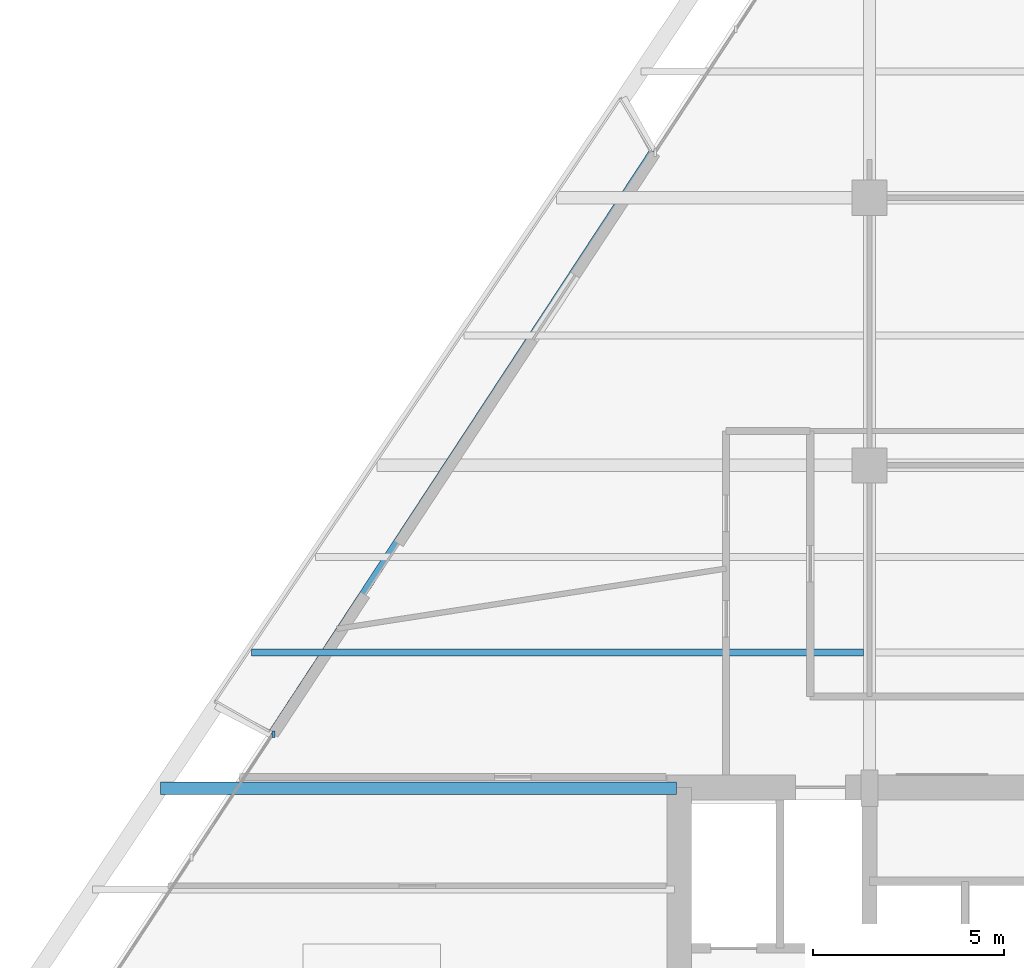
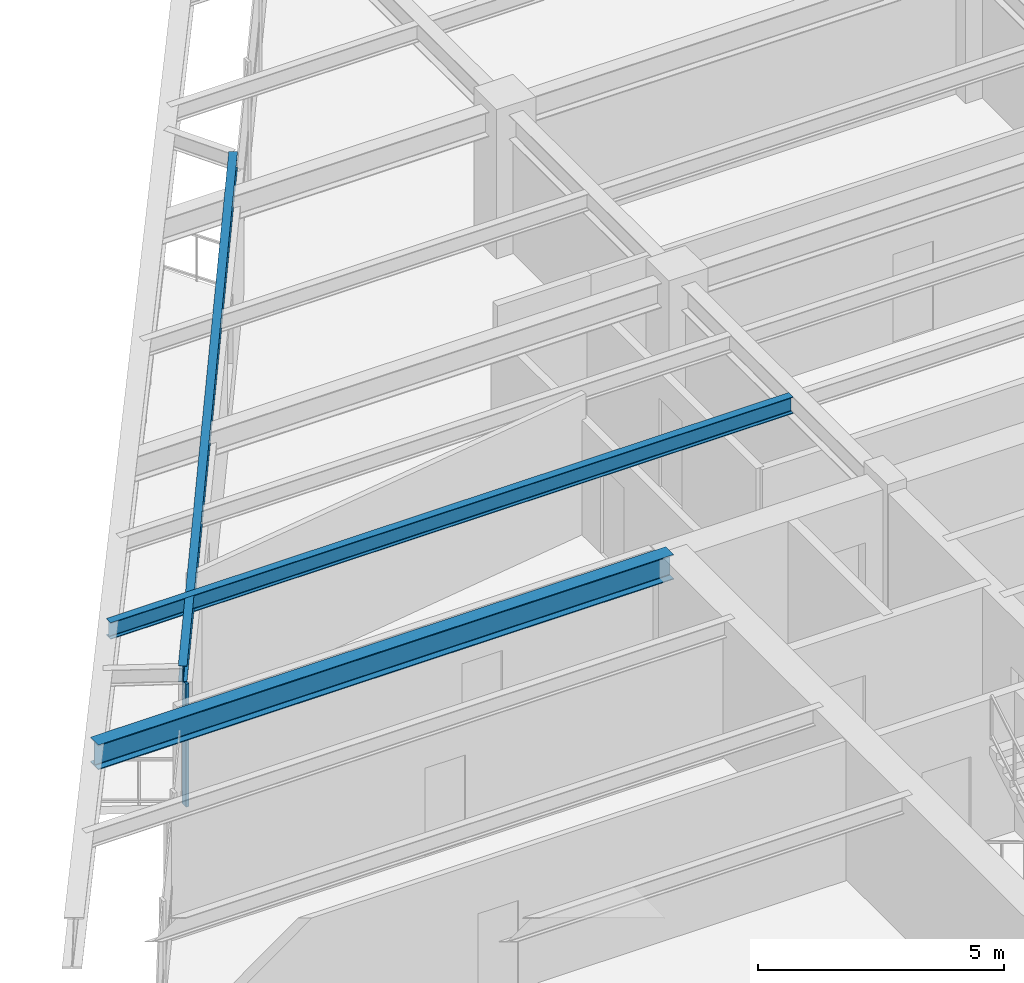
# One storey, part 4 of 14: 3 beams, 1 member, 1 element without a shape of its own.
"""IFC4 building model written with IfcOpenShell, lengths in metres."""

from ifc_helpers import new_model, si_unit, direction, frame, origin, origin_2d, place, context, subcontext, project, spatial, rectangle, i_section, extrude, source, transform, mapped, material, material_profile, profile_set, type_object, element, aggregate, save


model = new_model("IFC4")

# Units and contexts
model_context = context("Model", 3, precision=1e-05, world=origin(), true_north=direction((0.0, 1.0)))
body_context = subcontext(model_context, "Body", "Model", "MODEL_VIEW")
ifc_project = project(units=[si_unit("LENGTHUNIT", "METRE"), si_unit("AREAUNIT", "SQUARE_METRE"), si_unit("VOLUMEUNIT", "CUBIC_METRE"), si_unit("PLANEANGLEUNIT", "RADIAN"), si_unit("MASSUNIT", "GRAM", prefix="KILO")], contexts=[model_context])

# Site, building, storey
site_placement = place(None, origin())
site = spatial("IfcSite", under=ifc_project, at=site_placement, CompositionType="ELEMENT")
building_placement = place(site_placement, origin())
building = spatial("IfcBuilding", under=site, at=building_placement, Name="Varnakhor Terracotta Tower", CompositionType="ELEMENT")
storey_placement = place(building_placement, frame((0.0, 0.0, 129.300048828125)))
storey = spatial("IfcBuildingStorey", under=building, at=storey_placement, Name="L32", CompositionType="ELEMENT", Elevation=129.300048828125)

# Beams
ifc_material_1 = material(Name="Steel S355", Category="steel")
ifc_material_profile_1 = material_profile(ifc_material_1, i_section(OverallWidth=0.179931640625, OverallDepth=0.39990234375, WebThickness=0.008544921875, FlangeThickness=0.013427734375, FilletRadius=0.01806640625, at=origin_2d()), Name="IPE400")
ifc_profile_set_1 = profile_set([ifc_material_profile_1], Name="Steel S355")
beam_type_1 = type_object("IfcBeamType", Name="JST-IPE400", PredefinedType="JOIST", material=ifc_profile_set_1)
shared_shape_1 = source(origin(), body_context, "Body", "SweptSolid", [
    extrude(i_section(OverallWidth=0.179931640625, OverallDepth=0.39990234375, WebThickness=0.008544921875, FlangeThickness=0.013427734375, FilletRadius=0.01806640625, at=origin_2d()), origin(), (0.0, 0.0, 1.0), 18.242919921875),
])
beam_1_placement = place(storey_placement, frame((-11.16357421875, 32.722900390625, 3.27001953125), z_axis=(-0.547958773701, -0.836505339089, 0.0), x_axis=(0.836505339089, -0.547958773701, 0.0)))
element("IfcBeam", 1, at=beam_1_placement, inside=storey, type_object=beam_type_1, Name="L32 Loggia Edge Beam 2", PredefinedType="JOIST", context=body_context, shape_type="MappedRepresentation", body=[
    mapped(shared_shape_1, transform((0.0, 0.0, 0.0), scale=1.0)),
])
ifc_material_profile_2 = material_profile(ifc_material_1, i_section(OverallWidth=0.324951171875, OverallDepth=0.615966796875, WebThickness=0.013916015625, FlangeThickness=0.02197265625, FilletRadius=0.01806640625, at=origin_2d()), Name="W24X117")
ifc_profile_set_2 = profile_set([ifc_material_profile_2], Name="Steel S355")
beam_type_2 = type_object("IfcBeamType", Name="BM-W24X117", PredefinedType="BEAM", material=ifc_profile_set_2)
shared_shape_2 = source(origin(), body_context, "Body", "SweptSolid", [
    extrude(i_section(OverallWidth=0.324951171875, OverallDepth=0.615966796875, WebThickness=0.013916015625, FlangeThickness=0.02197265625, FilletRadius=0.01806640625, at=origin_2d()), origin(), (0.0, 0.0, 1.0), 13.49365234375),
])
beam_2_placement = place(storey_placement, frame((-24.043701171875, 16.050048828125, 3.161865234375), z_axis=(1.0, 0.0, 0.0), x_axis=(0.0, 1.0, 0.0)))
element("IfcBeam", 2, at=beam_2_placement, inside=storey, type_object=beam_type_2, Name="L32 Wing Girder W", PredefinedType="BEAM", context=body_context, shape_type="MappedRepresentation", body=[
    mapped(shared_shape_2, transform((0.0, 0.0, 0.0), scale=1.0)),
])
ifc_material_profile_3 = material_profile(ifc_material_1, i_section(OverallWidth=0.179931640625, OverallDepth=0.4130859375, WebThickness=0.009765625, FlangeThickness=0.01611328125, FilletRadius=0.01806640625, at=origin_2d()), Name="W16X50")
ifc_profile_set_3 = profile_set([ifc_material_profile_3], Name="Steel S355")
beam_type_3 = type_object("IfcBeamType", Name="JST-W16X50", PredefinedType="JOIST", material=ifc_profile_set_3)
shared_shape_3 = source(origin(), body_context, "Body", "SweptSolid", [
    extrude(i_section(OverallWidth=0.179931640625, OverallDepth=0.4130859375, WebThickness=0.009765625, FlangeThickness=0.01611328125, FilletRadius=0.01806640625, at=origin_2d()), origin(), (0.0, 0.0, 1.0), 16.00634765625),
])
beam_3_placement = place(storey_placement, frame((-21.664794921875, 19.60009765625, 3.263427734375), z_axis=(1.0, 0.0, 0.0), x_axis=(0.0, 1.0, 0.0)))
element("IfcBeam", 3, at=beam_3_placement, inside=storey, type_object=beam_type_3, Name="L32 Composite Floor Joist 4-1", PredefinedType="JOIST", context=body_context, shape_type="MappedRepresentation", body=[
    mapped(shared_shape_3, transform((0.0, 0.0, 0.0), scale=1.0)),
])

# Curtain wall, member
ifc_material_2 = material(Name="Anodised Aluminium Curtain Wall System", Category="aluminium")
curtain_wall_type = type_object("IfcCurtainWallType", Name="CW-SYS-MID-OFFICE", PredefinedType="NOTDEFINED", material=ifc_material_2)
curtain_wall_placement = place(storey_placement, origin())
curtain_wall = element("IfcCurtainWall", 4, at=curtain_wall_placement, inside=storey, type_object=curtain_wall_type, Name="L32 W Facet Curtain Wall 1", PredefinedType="NOTDEFINED")
ifc_material_3 = material(Name="Anodised Aluminium 6063-T6", Category="aluminium")
ifc_material_profile_4 = material_profile(ifc_material_3, rectangle(XDim=0.070068359375, YDim=0.175048828125, at=origin_2d()), Name="ALU MULLION 70x175")
ifc_profile_set_4 = profile_set([ifc_material_profile_4], Name="Anodised Aluminium 6063-T6")
member_type = type_object("IfcMemberType", Name="CWM-03", PredefinedType="MULLION", material=ifc_profile_set_4)
shared_shape_4 = source(origin(), body_context, "Body", "SweptSolid", [
    extrude(rectangle(XDim=0.070068359375, YDim=0.175048828125, at=origin_2d()), origin(), (0.0, 0.0, 1.0), 3.050048828125),
])
member_placement = place(storey_placement, frame((-21.09130859375, 17.46435546875, 0.0), z_axis=(0.0, 0.0, 1.0), x_axis=(1.0, 0.0, 0.0)))
member = element("IfcMember", 5, at=member_placement, type_object=member_type, Name="L32 W Loggia Jamb Closure Mullion 1", PredefinedType="MULLION", context=body_context, shape_type="MappedRepresentation", body=[
    mapped(shared_shape_4, transform((0.0, 0.0, 0.0), scale=1.0)),
])
aggregate(curtain_wall, [member])

save(model, "model.ifc")
